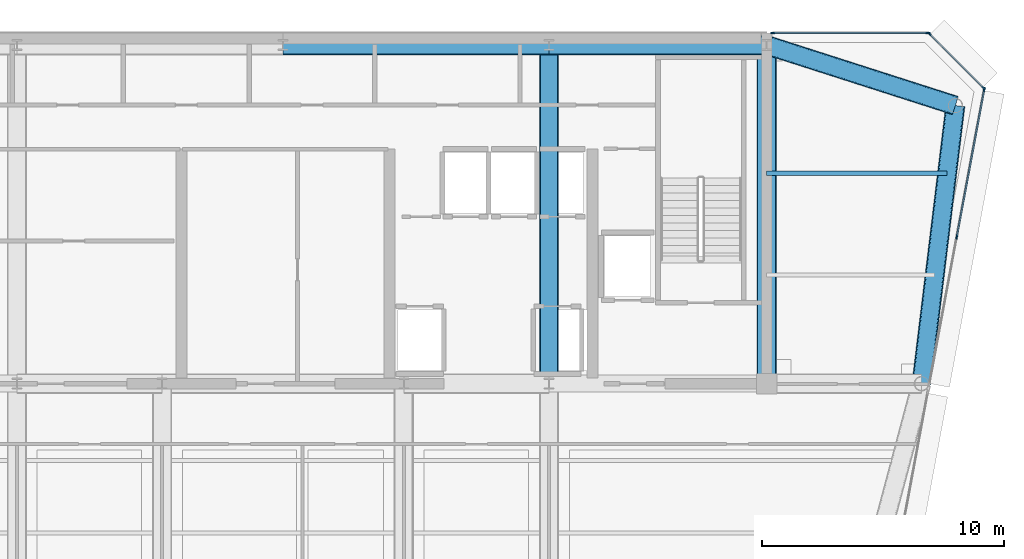
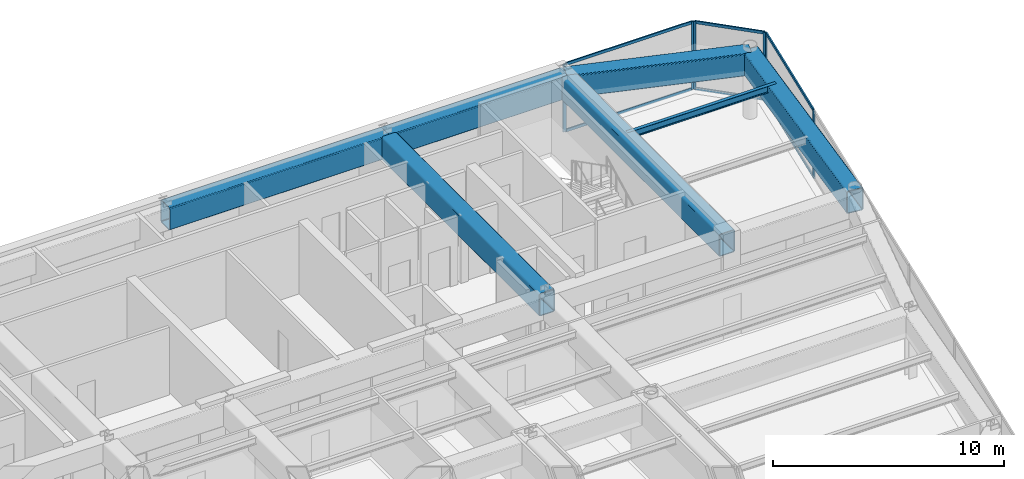
# One storey, part 8 of 18: 12 members, 7 beams, 3 elements without a shape of their own.
"""IFC4 building model written with IfcOpenShell, lengths in metres."""

from ifc_helpers import new_model, si_unit, direction, frame, origin, origin_2d, place, context, subcontext, project, spatial, rectangle, hollow_rectangle, i_section, extrude, source, transform, mapped, material, layer, layer_set, material_profile, profile_set, type_object, element, aggregate, save


model = new_model("IFC4")

# Units and contexts
model_context = context("Model", 3, precision=1e-05, world=origin(), true_north=direction((0.0, 1.0)))
body_context = subcontext(model_context, "Body", "Model", "MODEL_VIEW")
ifc_project = project(units=[si_unit("LENGTHUNIT", "METRE"), si_unit("AREAUNIT", "SQUARE_METRE"), si_unit("VOLUMEUNIT", "CUBIC_METRE"), si_unit("PLANEANGLEUNIT", "RADIAN"), si_unit("MASSUNIT", "GRAM", prefix="KILO")], contexts=[model_context])

# Site, building, storey
site_placement = place(None, origin())
site = spatial("IfcSite", under=ifc_project, at=site_placement, CompositionType="ELEMENT")
building_placement = place(site_placement, origin())
building = spatial("IfcBuilding", under=site, at=building_placement, Name="Vaeldorn Concourse Tower", CompositionType="ELEMENT")
storey_placement = place(building_placement, frame((0.0, 0.0, 265.0)))
storey = spatial("IfcBuildingStorey", under=building, at=storey_placement, Name="L68", CompositionType="ELEMENT", Elevation=265.0)

# Beams
ifc_material_1 = material(Name="Steel S460", Category="steel")
ifc_material_profile_1 = material_profile(ifc_material_1, hollow_rectangle(XDim=0.800048828125, YDim=1.199951171875, WallThickness=0.044921875, InnerFilletRadius=0.044921875, OuterFilletRadius=0.090087890625, at=origin_2d()), Name="RHS 1200x800x45")
ifc_profile_set_1 = profile_set([ifc_material_profile_1], Name="Steel S460")
beam_type_1 = type_object("IfcBeamType", Name="BM-TG-RHS1200", PredefinedType="BEAM", material=ifc_profile_set_1)
shared_shape_1 = source(origin(), body_context, "Body", "SweptSolid", [
    extrude(hollow_rectangle(XDim=0.800048828125, YDim=1.199951171875, WallThickness=0.044921875, InnerFilletRadius=0.044921875, OuterFilletRadius=0.090087890625, at=origin_2d()), origin(), (0.0, 0.0, 1.0), 9.0),
])
beam_1_placement = place(storey_placement, frame((45.0, 50.5, 2.97998046875), z_axis=(1.0, 0.0, 0.0), x_axis=(0.0, 1.0, 0.0)))
element("IfcBeam", 1, at=beam_1_placement, inside=storey, type_object=beam_type_1, Name="Beam BM-L68-C-HC4-C-HC5", PredefinedType="BEAM", context=body_context, shape_type="MappedRepresentation", body=[
    mapped(shared_shape_1, transform((0.0, 0.0, 0.0), scale=1.0)),
])
shared_shape_2 = source(origin(), body_context, "Body", "SweptSolid", [
    extrude(hollow_rectangle(XDim=0.800048828125, YDim=1.199951171875, WallThickness=0.044921875, InnerFilletRadius=0.044921875, OuterFilletRadius=0.090087890625, at=origin_2d()), origin(), (0.0, 0.0, 1.0), 11.0),
])
beam_2_placement = place(storey_placement, frame((34.0, 50.5, 2.97998046875), z_axis=(1.0, 0.0, 0.0), x_axis=(0.0, 1.0, 0.0)))
element("IfcBeam", 2, at=beam_2_placement, inside=storey, type_object=beam_type_1, Name="Beam BM-L68-C-HC3-C-HC4", PredefinedType="BEAM", context=body_context, shape_type="MappedRepresentation", body=[
    mapped(shared_shape_2, transform((0.0, 0.0, 0.0), scale=1.0)),
])
shared_shape_3 = source(origin(), body_context, "Body", "SweptSolid", [
    extrude(hollow_rectangle(XDim=0.800048828125, YDim=1.199951171875, WallThickness=0.044921875, InnerFilletRadius=0.044921875, OuterFilletRadius=0.090087890625, at=origin_2d()), origin(), (0.0, 0.0, 1.0), 14.0),
])
for number, where, z_axis, x_axis, name in (
    (3, (45.0, 36.5, 2.97998046875), (0.0, 1.0, 0.0), (-1.0, 0.0, 0.0), "Beam BM-L68-C-FC5-C-HC4"),
    (4, (54.0, 36.5, 2.97998046875), (0.0, 1.0, 0.0), (-1.0, 0.0, 0.0), "Beam BM-L68-C-FC6-C-HC5"),
):
    element("IfcBeam", number, at=place(storey_placement, frame(where, z_axis=z_axis, x_axis=x_axis)), inside=storey, type_object=beam_type_1, Name=name, PredefinedType="BEAM", context=body_context, shape_type="MappedRepresentation", body=[
        mapped(shared_shape_3, transform((0.0, 0.0, 0.0), scale=1.0)),
    ])
shared_shape_4 = source(origin(), body_context, "Body", "SweptSolid", [
    extrude(hollow_rectangle(XDim=0.800048828125, YDim=1.199951171875, WallThickness=0.044921875, InnerFilletRadius=0.044921875, OuterFilletRadius=0.090087890625, at=origin_2d()), origin(), (0.0, 0.0, 1.0), 8.19091796875),
])
beam_3_placement = place(storey_placement, frame((54.0, 50.5, 2.97998046875), z_axis=(0.952282843383, -0.305216949396, 0.0), x_axis=(0.305216949396, 0.952282843383, 0.0)))
element("IfcBeam", 5, at=beam_3_placement, inside=storey, type_object=beam_type_1, Name="Beam BM-L68-C-HC5-C-NE1", PredefinedType="BEAM", context=body_context, shape_type="MappedRepresentation", body=[
    mapped(shared_shape_4, transform((0.0, 0.0, 0.0), scale=1.0)),
])
shared_shape_5 = source(origin(), body_context, "Body", "SweptSolid", [
    extrude(hollow_rectangle(XDim=0.800048828125, YDim=1.199951171875, WallThickness=0.044921875, InnerFilletRadius=0.044921875, OuterFilletRadius=0.090087890625, at=origin_2d()), origin(), (0.0, 0.0, 1.0), 11.5849609375),
])
beam_4_placement = place(storey_placement, frame((61.800048828125, 48.0, 2.97998046875), z_axis=(-0.120859382899, -0.992669637677, 0.0), x_axis=(0.992669637677, -0.120859382899, 0.0)))
element("IfcBeam", 6, at=beam_4_placement, inside=storey, type_object=beam_type_1, Name="Beam BM-L68-C-NE1-C-NE2", PredefinedType="BEAM", context=body_context, shape_type="MappedRepresentation", body=[
    mapped(shared_shape_5, transform((0.0, 0.0, 0.0), scale=1.0)),
])
ifc_material_2 = material(Name="Steel S355", Category="steel")
ifc_material_profile_2 = material_profile(ifc_material_2, i_section(OverallWidth=0.169921875, OverallDepth=0.360107421875, WebThickness=0.008056640625, FlangeThickness=0.0126953125, FilletRadius=0.01806640625, at=origin_2d()), Name="IPE 360")
ifc_profile_set_2 = profile_set([ifc_material_profile_2], Name="Steel S355")
beam_type_2 = type_object("IfcBeamType", Name="BM-JS-IPE360", PredefinedType="JOIST", material=ifc_profile_set_2)
shared_shape_6 = source(origin(), body_context, "Body", "SweptSolid", [
    extrude(i_section(OverallWidth=0.169921875, OverallDepth=0.360107421875, WebThickness=0.008056640625, FlangeThickness=0.0126953125, FilletRadius=0.01806640625, at=origin_2d()), origin(), (0.0, 0.0, 1.0), 7.458984375),
])
beam_5_placement = place(storey_placement, frame((54.0, 45.199951171875, 3.39990234375), z_axis=(1.0, 0.0, 0.0), x_axis=(0.0, 1.0, 0.0)))
element("IfcBeam", 7, at=beam_5_placement, inside=storey, type_object=beam_type_2, Name="Beam JS-L68-NE-452", PredefinedType="JOIST", context=body_context, shape_type="MappedRepresentation", body=[
    mapped(shared_shape_6, transform((0.0, 0.0, 0.0), scale=1.0)),
])

# Curtain wall, members
ifc_material_3 = material(Name="Anodised Bronze Aluminium", Category="aluminium")
ifc_layer = layer(ifc_material_3, 0.179931640625)
ifc_layer_set = layer_set([ifc_layer], Name="Anodised Bronze Aluminium")
curtain_wall_type = type_object("IfcCurtainWallType", Name="CW-SYS-05", PredefinedType="NOTDEFINED", material=ifc_layer_set)
curtain_wall_1_placement = place(storey_placement, origin())
curtain_wall_1 = element("IfcCurtainWall", 8, at=curtain_wall_1_placement, inside=storey, type_object=curtain_wall_type, Name="Unitised Curtain Wall CW-L68-E08-1", PredefinedType="NOTDEFINED")
ifc_material_profile_3 = material_profile(ifc_material_3, rectangle(XDim=0.06494140625, YDim=0.14990234375, at=origin_2d()), Name="CWT 65x150")
ifc_profile_set_3 = profile_set([ifc_material_profile_3], Name="Anodised Bronze Aluminium")
member_type_1 = type_object("IfcMemberType", Name="CWT-BRONZE-150", PredefinedType="USERDEFINED", material=ifc_profile_set_3)
shared_shape_7 = source(origin(), body_context, "Body", "SweptSolid", [
    extrude(rectangle(XDim=0.06494140625, YDim=0.14990234375, at=origin_2d()), origin(), (0.0, 0.0, 1.0), 3.123046875),
])
member_1_placement = place(storey_placement, frame((62.9541015625, 48.745849609375, 0.032470703125), z_axis=(-0.707106781187, 0.707106781187, 0.0), x_axis=(-0.707106781187, -0.707106781187, 0.0)))
member_1 = element("IfcMember", 9, at=member_1_placement, type_object=member_type_1, Name="CW-05 transom 1.1", ObjectType="TRANSOM", PredefinedType="USERDEFINED", context=body_context, shape_type="MappedRepresentation", body=[
    mapped(shared_shape_7, transform((0.0, 0.0, 0.0), scale=1.0)),
])
member_2_placement = place(storey_placement, frame((62.9541015625, 48.745849609375, 3.547607421875), z_axis=(-0.707106781187, 0.707106781187, 0.0), x_axis=(-0.707106781187, -0.707106781187, 0.0)))
member_2 = element("IfcMember", 10, at=member_2_placement, type_object=member_type_1, Name="CW-05 transom 1.2", ObjectType="TRANSOM", PredefinedType="USERDEFINED", context=body_context, shape_type="MappedRepresentation", body=[
    mapped(shared_shape_7, transform((0.0, 0.0, 0.0), scale=1.0)),
])

curtain_wall_2_placement = place(storey_placement, origin())
curtain_wall_2 = element("IfcCurtainWall", 11, at=curtain_wall_2_placement, inside=storey, type_object=curtain_wall_type, Name="Unitised Curtain Wall CW-L68-E07-2", PredefinedType="NOTDEFINED")
ifc_material_profile_4 = material_profile(ifc_material_3, rectangle(XDim=0.06494140625, YDim=0.169921875, at=origin_2d()), Name="CWM 65x170")
ifc_profile_set_4 = profile_set([ifc_material_profile_4], Name="Anodised Bronze Aluminium")
member_type_2 = type_object("IfcMemberType", Name="CWM-BRONZE-170", PredefinedType="MULLION", material=ifc_profile_set_4)
shared_shape_8 = source(origin(), body_context, "Body", "SweptSolid", [
    extrude(rectangle(XDim=0.06494140625, YDim=0.169921875, at=origin_2d()), origin(), (0.0, 0.0, 1.0), 3.580078125),
])
member_3_placement = place(storey_placement, frame((61.857421875, 42.564208984375, 0.0), z_axis=(0.0, 0.0, 1.0), x_axis=(-0.983102768025, 0.183054493257, 0.0)))
member_3 = element("IfcMember", 12, at=member_3_placement, type_object=member_type_2, Name="CW-05 mullion 2", PredefinedType="MULLION", context=body_context, shape_type="MappedRepresentation", body=[
    mapped(shared_shape_8, transform((0.0, 0.0, 0.0), scale=1.0)),
])
member_4_placement = place(storey_placement, frame((62.994140625, 48.66796875, 0.0), z_axis=(0.0, 0.0, 1.0), x_axis=(-0.983102768025, 0.183054493257, 0.0)))
member_4 = element("IfcMember", 13, at=member_4_placement, type_object=member_type_2, Name="CW-05 mullion 3", PredefinedType="MULLION", context=body_context, shape_type="MappedRepresentation", body=[
    mapped(shared_shape_8, transform((0.0, 0.0, 0.0), scale=1.0)),
])

# Member
member_5_placement = place(storey_placement, frame((62.97705078125, 48.722900390625, 0.0), z_axis=(0.0, 0.0, 1.0), x_axis=(-0.707106781187, -0.707106781187, 0.0)))
member_5 = element("IfcMember", 14, at=member_5_placement, type_object=member_type_2, Name="CW-05 mullion 1", PredefinedType="MULLION", context=body_context, shape_type="MappedRepresentation", body=[
    mapped(shared_shape_8, transform((0.0, 0.0, 0.0), scale=1.0)),
])

member_6_placement = place(storey_placement, frame((60.722900390625, 50.97705078125, 0.0), z_axis=(0.0, 0.0, 1.0), x_axis=(-0.707106781187, -0.707106781187, 0.0)))
member_6 = element("IfcMember", 15, at=member_6_placement, type_object=member_type_2, Name="CW-05 mullion 2", PredefinedType="MULLION", context=body_context, shape_type="MappedRepresentation", body=[
    mapped(shared_shape_8, transform((0.0, 0.0, 0.0), scale=1.0)),
])

aggregate(curtain_wall_1, [member_5, member_6, member_1, member_2])

# Curtain wall, members
curtain_wall_3_placement = place(storey_placement, origin())
curtain_wall_3 = element("IfcCurtainWall", 16, at=curtain_wall_3_placement, inside=storey, type_object=curtain_wall_type, Name="Unitised Curtain Wall CW-L68-E09-1", PredefinedType="NOTDEFINED")
member_7_placement = place(storey_placement, frame((60.66748046875, 51.0, 0.0), z_axis=(0.0, 0.0, 1.0), x_axis=(0.0, -1.0, 0.0)))
member_7 = element("IfcMember", 17, at=member_7_placement, type_object=member_type_2, Name="CW-05 mullion 1", PredefinedType="MULLION", context=body_context, shape_type="MappedRepresentation", body=[
    mapped(shared_shape_8, transform((0.0, 0.0, 0.0), scale=1.0)),
])
member_8_placement = place(storey_placement, frame((54.25244140625, 51.0, 0.0), z_axis=(0.0, 0.0, 1.0), x_axis=(0.0, -1.0, 0.0)))
member_8 = element("IfcMember", 18, at=member_8_placement, type_object=member_type_2, Name="CW-05 mullion 2", PredefinedType="MULLION", context=body_context, shape_type="MappedRepresentation", body=[
    mapped(shared_shape_8, transform((0.0, 0.0, 0.0), scale=1.0)),
])

# Member
shared_shape_9 = source(origin(), body_context, "Body", "SweptSolid", [
    extrude(rectangle(XDim=0.06494140625, YDim=0.14990234375, at=origin_2d()), origin(), (0.0, 0.0, 1.0), 6.1435546875),
])
member_9_placement = place(storey_placement, frame((61.863525390625, 42.59619140625, 0.032470703125), z_axis=(0.183038328644, 0.983105777751, 0.0), x_axis=(-0.983105777751, 0.183038328644, 0.0)))
member_9 = element("IfcMember", 19, at=member_9_placement, type_object=member_type_1, Name="CW-05 transom 2.1", ObjectType="TRANSOM", PredefinedType="USERDEFINED", context=body_context, shape_type="MappedRepresentation", body=[
    mapped(shared_shape_9, transform((0.0, 0.0, 0.0), scale=1.0)),
])

member_10_placement = place(storey_placement, frame((61.863525390625, 42.59619140625, 3.547607421875), z_axis=(0.183038328644, 0.983105777751, 0.0), x_axis=(-0.983105777751, 0.183038328644, 0.0)))
member_10 = element("IfcMember", 20, at=member_10_placement, type_object=member_type_1, Name="CW-05 transom 2.2", ObjectType="TRANSOM", PredefinedType="USERDEFINED", context=body_context, shape_type="MappedRepresentation", body=[
    mapped(shared_shape_9, transform((0.0, 0.0, 0.0), scale=1.0)),
])

aggregate(curtain_wall_2, [member_3, member_4, member_9, member_10])

shared_shape_10 = source(origin(), body_context, "Body", "SweptSolid", [
    extrude(rectangle(XDim=0.06494140625, YDim=0.14990234375, at=origin_2d()), origin(), (0.0, 0.0, 1.0), 6.35009765625),
])
member_11_placement = place(storey_placement, frame((60.635009765625, 51.0, 0.032470703125), z_axis=(-1.0, 0.0, 0.0), x_axis=(0.0, -1.0, 0.0)))
member_11 = element("IfcMember", 21, at=member_11_placement, type_object=member_type_1, Name="CW-05 transom 1.1", ObjectType="TRANSOM", PredefinedType="USERDEFINED", context=body_context, shape_type="MappedRepresentation", body=[
    mapped(shared_shape_10, transform((0.0, 0.0, 0.0), scale=1.0)),
])

member_12_placement = place(storey_placement, frame((60.635009765625, 51.0, 3.547607421875), z_axis=(-1.0, 0.0, 0.0), x_axis=(0.0, -1.0, 0.0)))
member_12 = element("IfcMember", 22, at=member_12_placement, type_object=member_type_1, Name="CW-05 transom 1.2", ObjectType="TRANSOM", PredefinedType="USERDEFINED", context=body_context, shape_type="MappedRepresentation", body=[
    mapped(shared_shape_10, transform((0.0, 0.0, 0.0), scale=1.0)),
])

aggregate(curtain_wall_3, [member_7, member_8, member_11, member_12])

save(model, "model.ifc")
